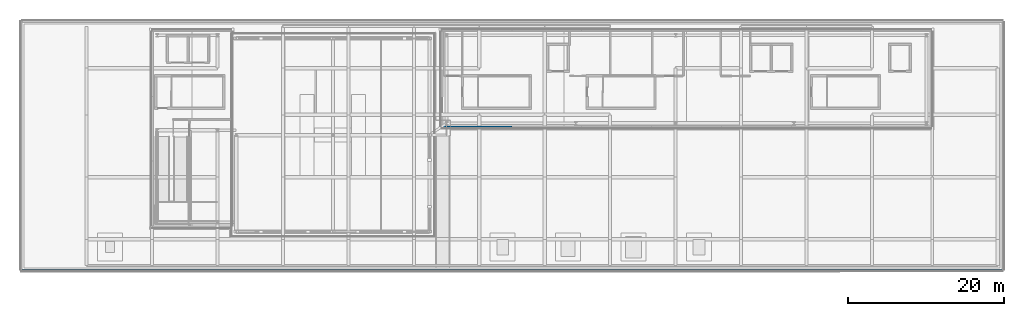
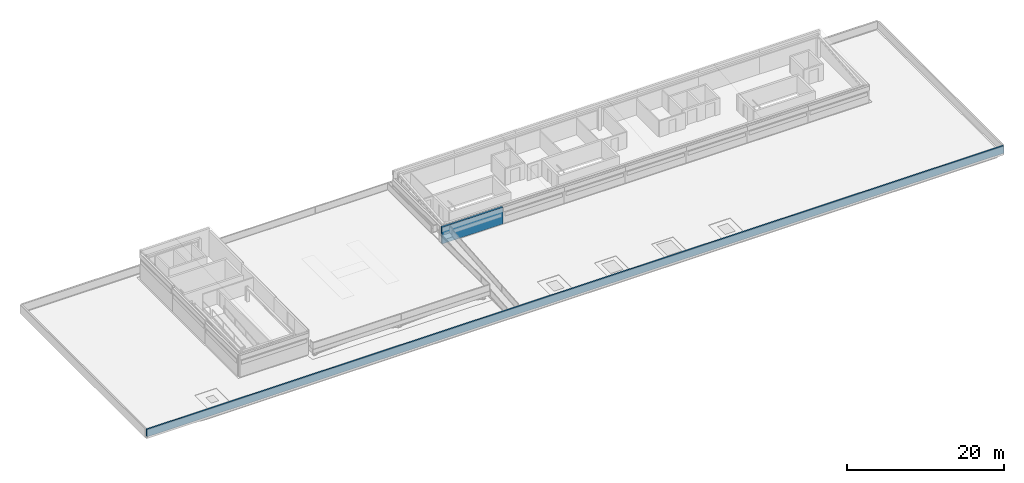
# One storey, part 7 of 14: 2 walls.
"""IFC4 building model written with IfcOpenShell, lengths in metres."""

from ifc_helpers import new_model, si_unit, direction, frame, frame_2d, origin, place, context, subcontext, project, spatial, rectangle, extrude, material, layer, layer_set, type_object, element, save


model = new_model("IFC4")

# Units and contexts
model_context = context("Model", 3, precision=1e-05, world=origin(), true_north=direction((0.0, 1.0)))
body_context = subcontext(model_context, "Body", "Model", "MODEL_VIEW")
ifc_project = project(units=[si_unit("LENGTHUNIT", "METRE"), si_unit("AREAUNIT", "SQUARE_METRE"), si_unit("VOLUMEUNIT", "CUBIC_METRE"), si_unit("PLANEANGLEUNIT", "RADIAN"), si_unit("MASSUNIT", "GRAM", prefix="KILO")], contexts=[model_context])

# Site, building, storey
site_placement = place(None, origin())
site = spatial("IfcSite", under=ifc_project, at=site_placement, CompositionType="ELEMENT")
building_placement = place(site_placement, origin())
building = spatial("IfcBuilding", under=site, at=building_placement, Name="Selatvlak General Hospital", CompositionType="ELEMENT")
storey_placement = place(building_placement, frame((0.0, 0.0, 39.449951171875)))
storey = spatial("IfcBuildingStorey", under=building, at=storey_placement, Name="RF", CompositionType="ELEMENT", Elevation=39.449951171875)

# Walls
ifc_material_1 = material(Name="Precast concrete C40/50 - white Bauhaus spandrel", Category="concrete")
ifc_layer_1 = layer(ifc_material_1, 0.280029296875, Name="Precast concrete C40/50 - white Bauhaus spandrel", Category="concrete")
ifc_layer_set_1 = layer_set([ifc_layer_1], Name="Precast concrete C40/50 - white Bauhaus spandrel")
wall_type_1 = type_object("IfcWallType", Name="WALL-EW-02", PredefinedType="SOLIDWALL", material=ifc_layer_set_1)
wall_1_placement = place(storey_placement, frame((85.199951171875, 106.39990234375, 0.0), z_axis=(0.0, 0.0, 1.0), x_axis=(1.0, 0.0, 0.0)))
element("IfcWall", 1, at=wall_1_placement, inside=storey, type_object=wall_type_1, Name="RF penthouse PENT-E wall S1", PredefinedType="SOLIDWALL", context=body_context, shape_type="SweptSolid", body=[
    extrude(rectangle(XDim=8.970947265625, YDim=0.280029296875, at=frame_2d((4.4853515625, 0.0))), origin(), (0.0, 0.0, 1.0), 2.590087890625),
])
ifc_material_2 = material(Name="Precast concrete C40/50 - white fair-faced", Category="concrete")
ifc_layer_2 = layer(ifc_material_2, 0.219970703125, Name="Precast concrete C40/50 - white fair-faced", Category="concrete")
ifc_layer_set_2 = layer_set([ifc_layer_2], Name="Precast concrete C40/50 - white fair-faced")
wall_type_2 = type_object("IfcWallType", Name="WALL-PR-02", PredefinedType="PARAPET", material=ifc_layer_set_2)
wall_2_placement = place(storey_placement, frame((157.199951171875, 88.0, 0.050048828125), z_axis=(0.0, 0.0, 1.0), x_axis=(-1.0, 0.0, 0.0)))
element("IfcWall", 2, at=wall_2_placement, inside=storey, type_object=wall_type_2, Name="RF roof parapet upstand PAR-RF-040", PredefinedType="PARAPET", context=body_context, shape_type="SweptSolid", body=[
    extrude(rectangle(XDim=126.0, YDim=0.219970703125, at=frame_2d((63.0, 0.0))), origin(), (0.0, 0.0, 1.0), 1.14990234375),
])

save(model, "model.ifc")
